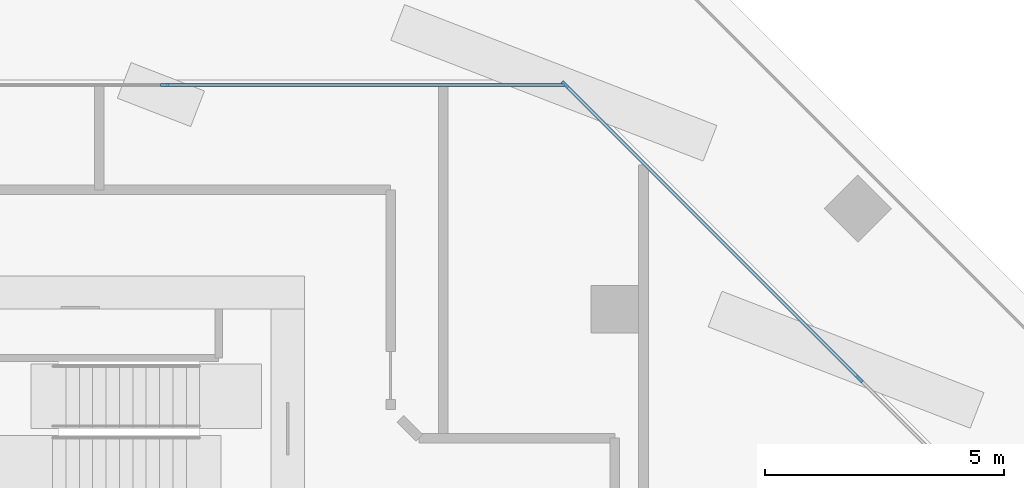
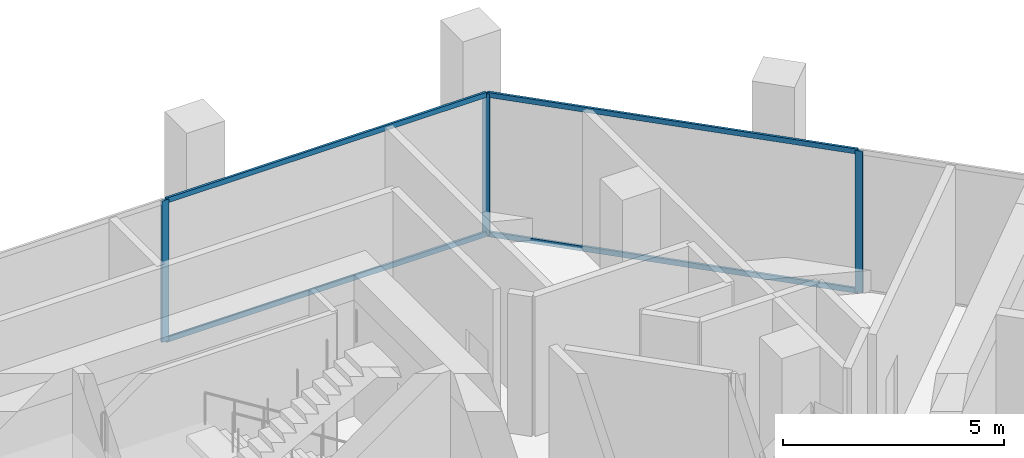
# One storey, part 7 of 21: 7 members, 2 elements without a shape of their own.
"""IFC4 building model written with IfcOpenShell, lengths in metres."""

from ifc_helpers import new_model, si_unit, direction, frame, origin, origin_2d, place, context, subcontext, project, spatial, rectangle, extrude, material, material_profile, profile_set, type_object, element, aggregate, save


model = new_model("IFC4")

# Units and contexts
model_context = context("Model", 3, precision=1e-05, world=origin(), true_north=direction((0.0, 1.0)))
body_context = subcontext(model_context, "Body", "Model", "MODEL_VIEW")
ifc_project = project(units=[si_unit("LENGTHUNIT", "METRE"), si_unit("AREAUNIT", "SQUARE_METRE"), si_unit("VOLUMEUNIT", "CUBIC_METRE"), si_unit("PLANEANGLEUNIT", "RADIAN"), si_unit("MASSUNIT", "GRAM", prefix="KILO")], contexts=[model_context])

# Site, building, storey
site_placement = place(None, origin())
site = spatial("IfcSite", under=ifc_project, at=site_placement, CompositionType="ELEMENT")
building_placement = place(site_placement, origin())
building = spatial("IfcBuilding", under=site, at=building_placement, Name="Windrow Commons", CompositionType="ELEMENT")
storey_placement = place(building_placement, frame((0.0, 0.0, 131.2)))
storey = spatial("IfcBuildingStorey", under=building, at=storey_placement, Name="L35", CompositionType="ELEMENT", Elevation=131.2)

# Curtain wall, members
ifc_material_1 = material(Name="Clear laminated glass in Aluminium 6063-T6 anodised frame", Category="aluminium")
curtain_wall_type = type_object("IfcCurtainWallType", Name="Curtain wall CW2M sky lounge mid", PredefinedType="USERDEFINED", material=ifc_material_1)
placement = place(storey_placement, origin())
curtain_wall_1 = element("IfcCurtainWall", 1, at=placement, inside=storey, type_object=curtain_wall_type, Name="Curtain wall CW2M L35 3", ObjectType="UNITISED", PredefinedType="USERDEFINED")
ifc_material_2 = material(Name="Aluminium 6063-T6", Category="aluminium")
ifc_material_profile_1 = material_profile(ifc_material_2, rectangle(XDim=0.06, YDim=0.18, at=origin_2d()))
ifc_profile_set_1 = profile_set([ifc_material_profile_1], Name="Aluminium 6063-T6")
member_type_1 = type_object("IfcMemberType", Name="CW2M mullion 60x180", PredefinedType="MULLION", material=ifc_profile_set_1)
member_1_placement = place(storey_placement, frame((84.3234, 63.3411, 0.0), z_axis=(0.0, 0.0, 1.0), x_axis=(-0.7071067812, -0.7071067812, 0.0)))
member_1 = element("IfcMember", 2, at=member_1_placement, type_object=member_type_1, Name="CW2M mullion 4", PredefinedType="MULLION", context=body_context, shape_type="SweptSolid", body=[
    extrude(rectangle(XDim=0.06, YDim=0.18, at=origin_2d()), origin(), (0.0, 0.0, 1.0), 3.9),
])
member_2_placement = place(storey_placement, frame((78.1564, 69.5081, 0.0), z_axis=(0.0, 0.0, 1.0), x_axis=(-0.7071067812, -0.7071067812, 0.0)))
member_2 = element("IfcMember", 3, at=member_2_placement, type_object=member_type_1, Name="CW2M mullion 5", PredefinedType="MULLION", context=body_context, shape_type="SweptSolid", body=[
    extrude(rectangle(XDim=0.06, YDim=0.18, at=origin_2d()), origin(), (0.0, 0.0, 1.0), 3.9),
])

# Curtain wall, member
curtain_wall_2 = element("IfcCurtainWall", 4, at=placement, inside=storey, type_object=curtain_wall_type, Name="Curtain wall CW2M L35 4.1", ObjectType="UNITISED", PredefinedType="USERDEFINED")
member_3_placement = place(storey_placement, frame((69.7716, 69.5, 0.0), z_axis=(0.0, 0.0, 1.0), x_axis=(0.0, -1.0, 0.0)))
member_3 = element("IfcMember", 5, at=member_3_placement, type_object=member_type_1, Name="CW2M mullion 2", PredefinedType="MULLION", context=body_context, shape_type="SweptSolid", body=[
    extrude(rectangle(XDim=0.06, YDim=0.18, at=origin_2d()), origin(), (0.0, 0.0, 1.0), 3.9),
])

# Member
ifc_material_3 = material(Name="Aluminium 6063-T6", Category="aluminium")
ifc_material_profile_2 = material_profile(ifc_material_3, rectangle(XDim=0.06, YDim=0.14, at=origin_2d()))
ifc_profile_set_2 = profile_set([ifc_material_profile_2], Name="Aluminium 6063-T6")
member_type_2 = type_object("IfcMemberType", Name="CW2M transom 60x140", PredefinedType="USERDEFINED", material=ifc_profile_set_2)
member_4_placement = place(storey_placement, frame((84.3022, 63.3623, 0.03), z_axis=(-0.7071067812, 0.7071067812, 0.0), x_axis=(-0.7071067812, -0.7071067812, 0.0)))
member_4 = element("IfcMember", 6, at=member_4_placement, type_object=member_type_2, Name="CW2M transom 4.1", ObjectType="TRANSOM", PredefinedType="USERDEFINED", context=body_context, shape_type="SweptSolid", body=[
    extrude(rectangle(XDim=0.06, YDim=0.14, at=origin_2d()), origin(), (0.0, 0.0, 1.0), 8.6615),
])

member_5_placement = place(storey_placement, frame((84.3022, 63.3623, 3.87), z_axis=(-0.7071067812, 0.7071067812, 0.0), x_axis=(-0.7071067812, -0.7071067812, 0.0)))
member_5 = element("IfcMember", 7, at=member_5_placement, type_object=member_type_2, Name="CW2M transom 4.2", ObjectType="TRANSOM", PredefinedType="USERDEFINED", context=body_context, shape_type="SweptSolid", body=[
    extrude(rectangle(XDim=0.06, YDim=0.14, at=origin_2d()), origin(), (0.0, 0.0, 1.0), 8.6615),
])

aggregate(curtain_wall_1, [member_1, member_2, member_4, member_5])

member_6_placement = place(storey_placement, frame((78.1459, 69.5, 0.03), z_axis=(-1.0, 0.0, 0.0), x_axis=(0.0, -1.0, 0.0)))
member_6 = element("IfcMember", 8, at=member_6_placement, type_object=member_type_2, Name="CW2M transom 1.1", ObjectType="TRANSOM", PredefinedType="USERDEFINED", context=body_context, shape_type="SweptSolid", body=[
    extrude(rectangle(XDim=0.06, YDim=0.14, at=origin_2d()), origin(), (0.0, 0.0, 1.0), 8.3443),
])

member_7_placement = place(storey_placement, frame((78.1459, 69.5, 3.87), z_axis=(-1.0, 0.0, 0.0), x_axis=(0.0, -1.0, 0.0)))
member_7 = element("IfcMember", 9, at=member_7_placement, type_object=member_type_2, Name="CW2M transom 1.2", ObjectType="TRANSOM", PredefinedType="USERDEFINED", context=body_context, shape_type="SweptSolid", body=[
    extrude(rectangle(XDim=0.06, YDim=0.14, at=origin_2d()), origin(), (0.0, 0.0, 1.0), 8.3443),
])

aggregate(curtain_wall_2, [member_3, member_6, member_7])

save(model, "model.ifc")
